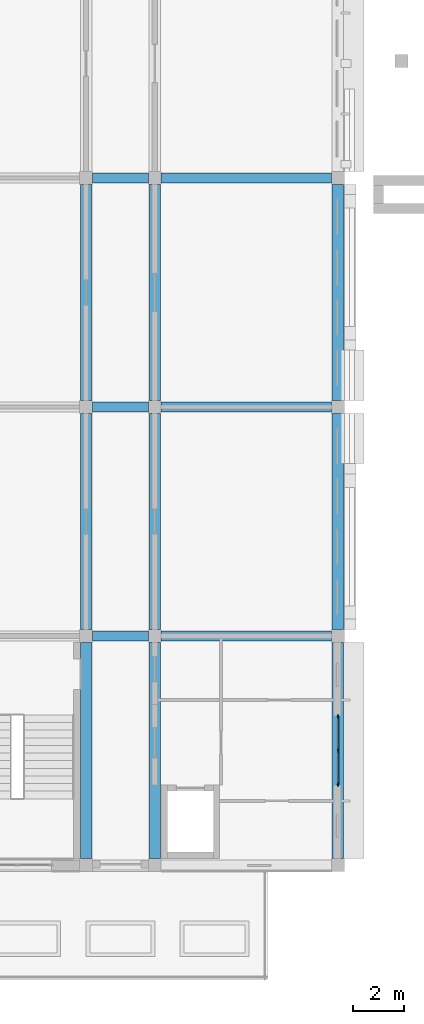
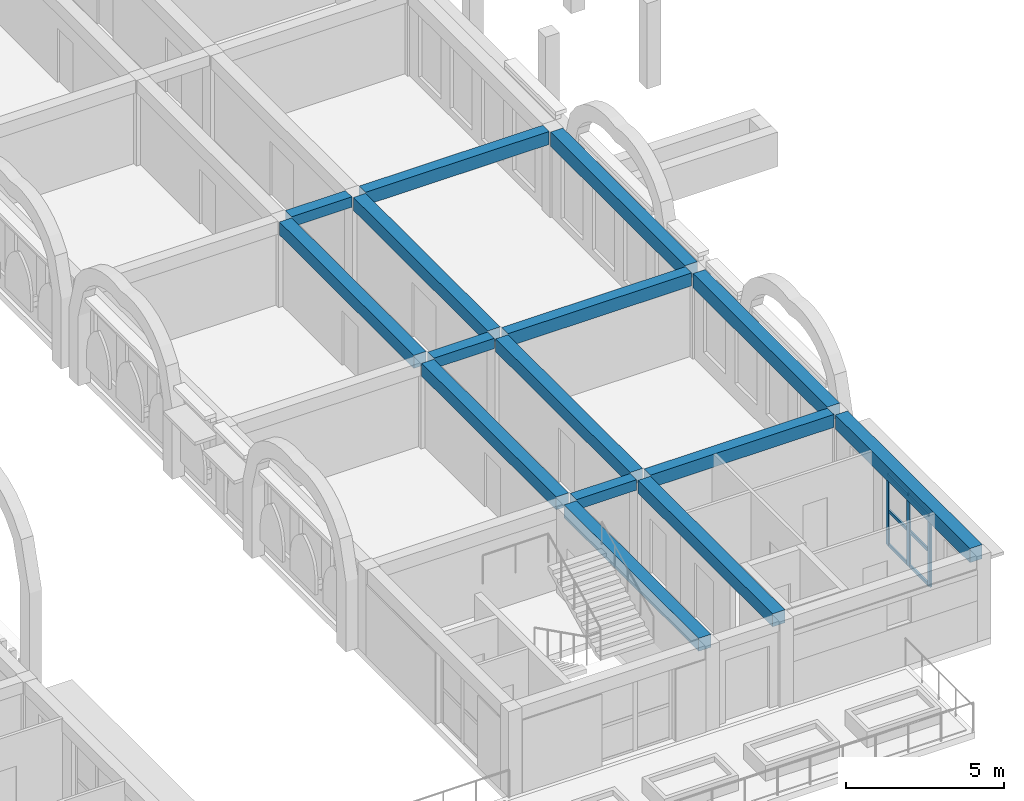
# One storey, part 30 of 82: 15 beams, 9 members, 1 element without a shape of its own.
"""IFC4 building model written with IfcOpenShell, lengths in metres."""

import ifcopenshell
import ifcopenshell.guid

model = None  # the IFC model being written
_history = None  # IfcOwnerHistory: only IFC2X3 demands one
_inside = {}  # id of a spatial element -> (the spatial element, [elements in it])
_under = {}  # id of a project, library or spatial element -> (it, [spatial elements below it])
_declared = {}  # id of a project -> (the project, [libraries it declares])
_typed = {}  # id of a type object -> (the type object, [elements of that type])
_made_of = {}  # id of a material, layer set ... -> (it, [elements and type objects made of it])


def new_model(schema):
    """Start an empty IFC model of exactly this schema.

    Asked for "IFC4X3", IfcOpenShell would pick the latest addendum, in which some entities
    have other attributes; the version numbers below select the first issue.
    IFC2X3 requires an IfcOwnerHistory on every rooted entity: one is made here for all.
    """
    global model, _history
    if schema == "IFC4X3":
        model = ifcopenshell.file(schema_version=(4, 3, 0, 0))
    else:
        model = ifcopenshell.file(schema=schema)
    _inside.clear()
    _under.clear()
    _declared.clear()
    _typed.clear()
    _made_of.clear()
    _history = None
    if model.schema == "IFC2X3":
        org = make("IfcOrganization", Name="unknown")
        user = make(
            "IfcPersonAndOrganization",
            ThePerson=make("IfcPerson", FamilyName="unknown"),
            TheOrganization=org,
        )
        app = make(
            "IfcApplication",
            ApplicationDeveloper=org,
            Version="unknown",
            ApplicationFullName="unknown",
            ApplicationIdentifier="unknown",
        )
        _history = make(
            "IfcOwnerHistory",
            OwningUser=user,
            OwningApplication=app,
            ChangeAction="ADDED",
            CreationDate=0,
        )
    return model


def make(cls, **values):
    """One entity of the class cls with the attributes given. An attribute that is None is left unset."""
    return model.create_entity(
        cls, **{name: value for name, value in values.items() if value is not None}
    )


def rooted(cls, **values):
    """An entity with a GlobalId (a new one), such as an element, a storey or a relation."""
    return make(cls, GlobalId=ifcopenshell.guid.new(), OwnerHistory=_history, **values)


def si_unit(unit_type, name, prefix=None):
    """IfcSIUnit, for example si_unit("LENGTHUNIT", "METRE", prefix="MILLI")."""
    return make("IfcSIUnit", UnitType=unit_type, Prefix=prefix, Name=name)


def assignment(units):
    """IfcUnitAssignment: the units of a project."""
    return None if units is None else make("IfcUnitAssignment", Units=units)


def point(xyz):
    """IfcCartesianPoint."""
    return None if xyz is None else make("IfcCartesianPoint", Coordinates=xyz)


def direction(xyz):
    """IfcDirection."""
    return None if xyz is None else make("IfcDirection", DirectionRatios=xyz)


def frame(location, z_axis=None, x_axis=None):
    """IfcAxis2Placement3D, a coordinate frame: its origin and axes. An axis left out is left unset."""
    return make(
        "IfcAxis2Placement3D",
        Location=point(location),
        Axis=direction(z_axis),
        RefDirection=direction(x_axis),
    )


def frame_2d(location, x_axis=None):
    """IfcAxis2Placement2D, a coordinate frame in the plane: its origin and x axis."""
    return make(
        "IfcAxis2Placement2D", Location=point(location), RefDirection=direction(x_axis)
    )


def origin():
    """The frame at (0, 0, 0) with its axes left unset."""
    return frame((0.0, 0.0, 0.0))


def origin_2d():
    """The frame at (0, 0) in the plane with its x axis left unset."""
    return frame_2d((0.0, 0.0))


def place(relative_to, where):
    """IfcLocalPlacement: puts the frame where relative to a parent placement (None: the world)."""
    return make(
        "IfcLocalPlacement", PlacementRelTo=relative_to, RelativePlacement=where
    )


def context(
    kind, dimensions, precision=None, world=None, true_north=None, identifier=None
):
    """IfcGeometricRepresentationContext, for example the 3D "Model" context."""
    return make(
        "IfcGeometricRepresentationContext",
        ContextIdentifier=identifier,
        ContextType=kind,
        CoordinateSpaceDimension=dimensions,
        Precision=precision,
        WorldCoordinateSystem=world,
        TrueNorth=true_north,
    )


def subcontext(parent, identifier, kind, view, scale=None):
    """IfcGeometricRepresentationSubContext, for example "Body" below "Model"."""
    return make(
        "IfcGeometricRepresentationSubContext",
        ContextIdentifier=identifier,
        ContextType=kind,
        ParentContext=parent,
        TargetScale=scale,
        TargetView=view,
    )


def project(units=None, contexts=None):
    """IfcProject with its units and contexts."""
    return rooted(
        "IfcProject",
        Name="project",
        RepresentationContexts=contexts,
        UnitsInContext=assignment(units),
    )


def spatial(cls, under=None, at=None, **own):
    """A site, building, storey or space (cls), placed at a placement, below another one or the project."""
    s = rooted(cls, ObjectPlacement=at, **own)
    if under is not None:
        _under.setdefault(under.id(), (under, []))[1].append(s)
    return s


def profile(cls, at=None, kind="AREA", **sizes):
    """A parametric profile (cls). Its sizes go by their IFC names, for example OverallWidth=200.0."""
    return make(cls, ProfileType=kind, Position=at, **sizes)


def rectangle(**sizes):
    """IfcRectangleProfileDef."""
    return profile("IfcRectangleProfileDef", **sizes)


def extrude(swept, where, along, depth):
    """IfcExtrudedAreaSolid: the profile swept, set in the frame where, extruded along a direction by depth."""
    return make(
        "IfcExtrudedAreaSolid",
        SweptArea=swept,
        Position=where,
        ExtrudedDirection=direction(along),
        Depth=depth,
    )


def shape(context_of_items, identifier, shape_type, items):
    """IfcShapeRepresentation: the items that make up one representation, for example the "Body"."""
    return make(
        "IfcShapeRepresentation",
        ContextOfItems=context_of_items,
        RepresentationIdentifier=identifier,
        RepresentationType=shape_type,
        Items=items,
    )


def material(Name=None, Category=None):
    """IfcMaterial."""
    return make("IfcMaterial", Name=Name, Category=Category)


def layer(
    of_material, thickness, ventilated=None, Name=None, Category=None, Priority=None
):
    """IfcMaterialLayer: one layer of a wall or slab, of a material (None: an air gap)."""
    return make(
        "IfcMaterialLayer",
        Material=of_material,
        LayerThickness=thickness,
        IsVentilated=ventilated,
        Name=Name,
        Category=Category,
        Priority=Priority,
    )


def layer_set(layers, Name=None):
    """IfcMaterialLayerSet."""
    return make("IfcMaterialLayerSet", MaterialLayers=layers, LayerSetName=Name)


def material_profile(
    of_material, cross_section, Name=None, Category=None, Priority=None
):
    """IfcMaterialProfile: a cross section and its material."""
    return make(
        "IfcMaterialProfile",
        Name=Name,
        Material=of_material,
        Profile=cross_section,
        Priority=Priority,
        Category=Category,
    )


def profile_set(profiles, Name=None, composite=None):
    """IfcMaterialProfileSet."""
    return make(
        "IfcMaterialProfileSet",
        Name=Name,
        MaterialProfiles=profiles,
        CompositeProfile=composite,
    )


def made_of(thing, what):
    """Note that an element or type object is made of a material, layer set ...; save() writes the relation."""
    if what is not None:
        _made_of.setdefault(what.id(), (what, []))[1].append(thing)
    return thing


def type_object(cls, material=None, **own):
    """A type object (cls), such as IfcWallType, which elements share."""
    return made_of(rooted(cls, **own), material)


def element(
    cls,
    number,
    at=None,
    inside=None,
    cuts=None,
    type_object=None,
    material=None,
    context=None,
    identifier="Body",
    shape_type=None,
    held_by="IfcProductDefinitionShape",
    body=None,
    shapes=None,
    **own,
):
    """One element of the class cls, such as IfcWall. Its Tag is "e" and its number.

    at: its placement. inside: the storey or other place that contains it. cuts: it is an
    opening in that element (IfcRelVoidsElement). A single representation is given by context,
    identifier, shape_type and body (its items); several are given by shapes. held_by: the class
    of the entity that holds the representations. save() writes the other relations.
    """
    e = rooted(cls, Tag="e%d" % number, ObjectPlacement=at, **own)
    if body is not None:
        shapes = [shape(context, identifier, shape_type, body)]
    if shapes is not None:
        e.Representation = make(held_by, Representations=shapes)
    if inside is not None:
        _inside.setdefault(inside.id(), (inside, []))[1].append(e)
    if cuts is not None:
        rooted(
            "IfcRelVoidsElement", RelatingBuildingElement=cuts, RelatedOpeningElement=e
        )
    if type_object is not None:
        _typed.setdefault(type_object.id(), (type_object, []))[1].append(e)
    return made_of(e, material)


def aggregate(whole, parts):
    """IfcRelAggregates: a whole, such as a stair, and the parts it consists of."""
    return rooted("IfcRelAggregates", RelatingObject=whole, RelatedObjects=parts)


def save(model, path):
    """Write the relations noted so far, then the file.

    IfcRelAggregates (storeys below a building ...), IfcRelContainedInSpatialStructure (elements
    in a storey), IfcRelDefinesByType, IfcRelAssociatesMaterial and IfcRelDeclares: one each for
    every whole, place, type object, material and project.
    """
    for whole, parts in _under.values():
        aggregate(whole, parts)
    for where, things in _inside.values():
        rooted(
            "IfcRelContainedInSpatialStructure",
            RelatedElements=things,
            RelatingStructure=where,
        )
    for kind, things in _typed.values():
        rooted("IfcRelDefinesByType", RelatedObjects=things, RelatingType=kind)
    for what, things in _made_of.values():
        rooted("IfcRelAssociatesMaterial", RelatedObjects=things, RelatingMaterial=what)
    for by, libraries in _declared.values():
        rooted("IfcRelDeclares", RelatingContext=by, RelatedDefinitions=libraries)
    model.write(path)


model = new_model("IFC4")

# Units and contexts
model_context = context("Model", 3, precision=1e-05, world=origin(), true_north=direction((0.0, 1.0)))
body_context = subcontext(model_context, "Body", "Model", "MODEL_VIEW")
ifc_project = project(units=[si_unit("LENGTHUNIT", "METRE"), si_unit("AREAUNIT", "SQUARE_METRE"), si_unit("VOLUMEUNIT", "CUBIC_METRE"), si_unit("PLANEANGLEUNIT", "RADIAN"), si_unit("MASSUNIT", "GRAM", prefix="KILO")], contexts=[model_context])

# Site, building, storey
site_placement = place(None, origin())
site = spatial("IfcSite", under=ifc_project, at=site_placement, CompositionType="ELEMENT")
building_placement = place(site_placement, origin())
building = spatial("IfcBuilding", under=site, at=building_placement, Name="Elbe Cascade School", CompositionType="ELEMENT")
storey_placement = place(building_placement, frame((0.0, 0.0, 4.5)))
storey = spatial("IfcBuildingStorey", under=building, at=storey_placement, Name="L01", CompositionType="ELEMENT", Elevation=4.5)

# Curtain wall, members
ifc_material_1 = material(Name="Aluminium frame with double glazing, bronze anodised", Category="aluminium")
ifc_layer = layer(ifc_material_1, 0.159912109375)
ifc_layer_set = layer_set([ifc_layer], Name="Aluminium frame with double glazing, bronze anodised")
curtain_wall_type = type_object("IfcCurtainWallType", Name="Bars envelope Curtain wall, aluminium, bronze anodised, storey-high slot", PredefinedType="NOTDEFINED", material=ifc_layer_set)
curtain_wall_placement = place(storey_placement, origin())
curtain_wall = element("IfcCurtainWall", 1, at=curtain_wall_placement, inside=storey, type_object=curtain_wall_type, Name="Curtain wall CW4 D.L01.e1", PredefinedType="NOTDEFINED")
ifc_material_2 = material(Name="Aluminium mullion, bronze anodised", Category="aluminium")
ifc_material_profile_1 = material_profile(ifc_material_2, rectangle(XDim=0.06005859375, YDim=0.159912109375, at=origin_2d()), Name="Bars envelope Curtain wall mullion 60 x 160, aluminium, storey-high slot")
ifc_profile_set_1 = profile_set([ifc_material_profile_1], Name="Aluminium mullion, bronze anodised")
member_type_1 = type_object("IfcMemberType", Name="Bars envelope Curtain wall mullion 60 x 160, aluminium, storey-high slot", PredefinedType="MULLION", material=ifc_profile_set_1)
member_1_placement = place(storey_placement, frame((174.89990234375, 11.820068359375, 0.0), z_axis=(0.0, 0.0, 1.0), x_axis=(1.0, 0.0, 0.0)))
member_1 = element("IfcMember", 2, at=member_1_placement, type_object=member_type_1, Name="CW4 mullion 1", PredefinedType="MULLION", context=body_context, shape_type="SweptSolid", body=[
    extrude(rectangle(XDim=0.06005859375, YDim=0.159912109375, at=origin_2d()), origin(), (0.0, 0.0, 1.0), 2.75),
])
member_2_placement = place(storey_placement, frame((174.89990234375, 10.5, 0.0), z_axis=(0.0, 0.0, 1.0), x_axis=(1.0, 0.0, 0.0)))
member_2 = element("IfcMember", 3, at=member_2_placement, type_object=member_type_1, Name="CW4 mullion 2", PredefinedType="MULLION", context=body_context, shape_type="SweptSolid", body=[
    extrude(rectangle(XDim=0.06005859375, YDim=0.159912109375, at=origin_2d()), origin(), (0.0, 0.0, 1.0), 2.75),
])
member_3_placement = place(storey_placement, frame((174.89990234375, 9.179931640625, 0.0), z_axis=(0.0, 0.0, 1.0), x_axis=(1.0, 0.0, 0.0)))
member_3 = element("IfcMember", 4, at=member_3_placement, type_object=member_type_1, Name="CW4 mullion 3", PredefinedType="MULLION", context=body_context, shape_type="SweptSolid", body=[
    extrude(rectangle(XDim=0.06005859375, YDim=0.159912109375, at=origin_2d()), origin(), (0.0, 0.0, 1.0), 2.75),
])
ifc_material_3 = material(Name="Aluminium transom, bronze anodised", Category="aluminium")
ifc_material_profile_2 = material_profile(ifc_material_3, rectangle(XDim=0.06005859375, YDim=0.1201171875, at=origin_2d()), Name="Bars envelope Curtain wall transom 60 x 120, aluminium, storey-high slot")
ifc_profile_set_2 = profile_set([ifc_material_profile_2], Name="Aluminium transom, bronze anodised")
member_type_2 = type_object("IfcMemberType", Name="Bars envelope Curtain wall transom 60 x 120, aluminium, storey-high slot", PredefinedType="USERDEFINED", material=ifc_profile_set_2)
member_4_placement = place(storey_placement, frame((174.89990234375, 11.7900390625, 0.030029296875), z_axis=(0.0, -1.0, 0.0), x_axis=(1.0, 0.0, 0.0)))
member_4 = element("IfcMember", 5, at=member_4_placement, type_object=member_type_2, Name="CW4 transom 1.1", ObjectType="TRANSOM", PredefinedType="USERDEFINED", context=body_context, shape_type="SweptSolid", body=[
    extrude(rectangle(XDim=0.06005859375, YDim=0.1201171875, at=origin_2d()), origin(), (0.0, 0.0, 1.0), 1.260009765625),
])
member_5_placement = place(storey_placement, frame((174.89990234375, 11.7900390625, 1.35009765625), z_axis=(0.0, -1.0, 0.0), x_axis=(1.0, 0.0, 0.0)))
member_5 = element("IfcMember", 6, at=member_5_placement, type_object=member_type_2, Name="CW4 transom 1.2", ObjectType="TRANSOM", PredefinedType="USERDEFINED", context=body_context, shape_type="SweptSolid", body=[
    extrude(rectangle(XDim=0.06005859375, YDim=0.1201171875, at=origin_2d()), origin(), (0.0, 0.0, 1.0), 1.260009765625),
])
member_6_placement = place(storey_placement, frame((174.89990234375, 11.7900390625, 2.719970703125), z_axis=(0.0, -1.0, 0.0), x_axis=(1.0, 0.0, 0.0)))
member_6 = element("IfcMember", 7, at=member_6_placement, type_object=member_type_2, Name="CW4 transom 1.3", ObjectType="TRANSOM", PredefinedType="USERDEFINED", context=body_context, shape_type="SweptSolid", body=[
    extrude(rectangle(XDim=0.06005859375, YDim=0.1201171875, at=origin_2d()), origin(), (0.0, 0.0, 1.0), 1.260009765625),
])
member_7_placement = place(storey_placement, frame((174.89990234375, 10.469970703125, 0.030029296875), z_axis=(0.0, -1.0, 0.0), x_axis=(1.0, 0.0, 0.0)))
member_7 = element("IfcMember", 8, at=member_7_placement, type_object=member_type_2, Name="CW4 transom 2.1", ObjectType="TRANSOM", PredefinedType="USERDEFINED", context=body_context, shape_type="SweptSolid", body=[
    extrude(rectangle(XDim=0.06005859375, YDim=0.1201171875, at=origin_2d()), origin(), (0.0, 0.0, 1.0), 1.260009765625),
])
member_8_placement = place(storey_placement, frame((174.89990234375, 10.469970703125, 1.35009765625), z_axis=(0.0, -1.0, 0.0), x_axis=(1.0, 0.0, 0.0)))
member_8 = element("IfcMember", 9, at=member_8_placement, type_object=member_type_2, Name="CW4 transom 2.2", ObjectType="TRANSOM", PredefinedType="USERDEFINED", context=body_context, shape_type="SweptSolid", body=[
    extrude(rectangle(XDim=0.06005859375, YDim=0.1201171875, at=origin_2d()), origin(), (0.0, 0.0, 1.0), 1.260009765625),
])
member_9_placement = place(storey_placement, frame((174.89990234375, 10.469970703125, 2.719970703125), z_axis=(0.0, -1.0, 0.0), x_axis=(1.0, 0.0, 0.0)))
member_9 = element("IfcMember", 10, at=member_9_placement, type_object=member_type_2, Name="CW4 transom 2.3", ObjectType="TRANSOM", PredefinedType="USERDEFINED", context=body_context, shape_type="SweptSolid", body=[
    extrude(rectangle(XDim=0.06005859375, YDim=0.1201171875, at=origin_2d()), origin(), (0.0, 0.0, 1.0), 1.260009765625),
])
aggregate(curtain_wall, [member_1, member_2, member_3, member_4, member_5, member_6, member_7, member_8, member_9])

# Beams
ifc_material_4 = material(Name="Concrete C30/37", Category="concrete")
ifc_material_profile_3 = material_profile(ifc_material_4, rectangle(XDim=0.39990234375, YDim=0.39990234375, at=origin_2d()), Name="RC 400x400")
ifc_profile_set_3 = profile_set([ifc_material_profile_3], Name="Concrete C30/37")
beam_type_1 = type_object("IfcBeamType", Name="RC 400x400 beam", PredefinedType="BEAM", material=ifc_profile_set_3)
for number, where, z_axis, x_axis, name in (
    (11, (165.25, 15.0, 3.10009765625), (1.0, 0.0, 0.0), (0.0, 1.0, 0.0), "RC 400x400 beam B5"),
    (12, (165.25, 24.0, 3.10009765625), (1.0, 0.0, 0.0), (0.0, 1.0, 0.0), "RC 400x400 beam B5"),
    (13, (165.25, 33.0, 3.10009765625), (1.0, 0.0, 0.0), (0.0, 1.0, 0.0), "RC 400x400 beam B5"),
):
    element("IfcBeam", number, at=place(storey_placement, frame(where, z_axis=z_axis, x_axis=x_axis)), inside=storey, type_object=beam_type_1, Name=name, PredefinedType="BEAM", context=body_context, shape_type="SweptSolid", body=[
        extrude(rectangle(XDim=0.39990234375, YDim=0.39990234375, at=origin_2d()), origin(), (0.0, 0.0, 1.0), 2.199951171875),
    ])
ifc_material_5 = material(Name="Concrete C30/37", Category="concrete")
ifc_material_profile_4 = material_profile(ifc_material_5, rectangle(XDim=0.39990234375, YDim=0.5, at=origin_2d()), Name="RC 400x500")
ifc_profile_set_4 = profile_set([ifc_material_profile_4], Name="Concrete C30/37")
beam_type_2 = type_object("IfcBeamType", Name="RC 400x500 beam", PredefinedType="BEAM", material=ifc_profile_set_4)
for number, where, z_axis, x_axis, name in (
    (14, (167.949951171875, 15.0, 3.050048828125), (1.0, 0.0, 0.0), (0.0, 1.0, 0.0), "RC 400x500 beam B1"),
    (15, (167.949951171875, 24.0, 3.050048828125), (1.0, 0.0, 0.0), (0.0, 1.0, 0.0), "RC 400x500 beam B1"),
    (16, (167.949951171875, 33.0, 3.050048828125), (1.0, 0.0, 0.0), (0.0, 1.0, 0.0), "RC 400x500 beam B1"),
):
    element("IfcBeam", number, at=place(storey_placement, frame(where, z_axis=z_axis, x_axis=x_axis)), inside=storey, type_object=beam_type_2, Name=name, PredefinedType="BEAM", context=body_context, shape_type="SweptSolid", body=[
        extrude(rectangle(XDim=0.39990234375, YDim=0.5, at=origin_2d()), origin(), (0.0, 0.0, 1.0), 6.699951171875),
    ])
ifc_material_6 = material(Name="Concrete C30/37", Category="concrete")
ifc_material_profile_5 = material_profile(ifc_material_6, rectangle(XDim=0.449951171875, YDim=0.5, at=origin_2d()), Name="RC 450x500")
ifc_profile_set_5 = profile_set([ifc_material_profile_5], Name="Concrete C30/37")
beam_type_3 = type_object("IfcBeamType", Name="RC 450x500 beam", PredefinedType="BEAM", material=ifc_profile_set_5)
for number, where, z_axis, x_axis, name in (
    (17, (165.0, 6.25, 3.050048828125), (0.0, 1.0, 0.0), (-1.0, 0.0, 0.0), "RC 450x500 beam B9"),
    (18, (165.0, 15.25, 3.050048828125), (0.0, 1.0, 0.0), (-1.0, 0.0, 0.0), "RC 450x500 beam B9"),
    (19, (165.0, 24.25, 3.050048828125), (0.0, 1.0, 0.0), (-1.0, 0.0, 0.0), "RC 450x500 beam B9"),
    (20, (167.699951171875, 6.25, 3.050048828125), (0.0, 1.0, 0.0), (-1.0, 0.0, 0.0), "RC 450x500 beam B9"),
    (21, (167.699951171875, 15.25, 3.050048828125), (0.0, 1.0, 0.0), (-1.0, 0.0, 0.0), "RC 450x500 beam B9"),
    (22, (167.699951171875, 24.25, 3.050048828125), (0.0, 1.0, 0.0), (-1.0, 0.0, 0.0), "RC 450x500 beam B9"),
):
    element("IfcBeam", number, at=place(storey_placement, frame(where, z_axis=z_axis, x_axis=x_axis)), inside=storey, type_object=beam_type_3, Name=name, PredefinedType="BEAM", context=body_context, shape_type="SweptSolid", body=[
        extrude(rectangle(XDim=0.449951171875, YDim=0.5, at=origin_2d()), origin(), (0.0, 0.0, 1.0), 8.5),
    ])
ifc_material_7 = material(Name="Concrete C30/37", Category="concrete")
ifc_material_profile_6 = material_profile(ifc_material_7, rectangle(XDim=0.449951171875, YDim=0.550048828125, at=origin_2d()), Name="RC 450x550")
ifc_profile_set_6 = profile_set([ifc_material_profile_6], Name="Concrete C30/37")
beam_type_4 = type_object("IfcBeamType", Name="RC 450x550 beam", PredefinedType="BEAM", material=ifc_profile_set_6)
for number, where, z_axis, x_axis, name in (
    (23, (174.89990234375, 6.25, 3.02490234375), (0.0, 1.0, 0.0), (-1.0, 0.0, 0.0), "RC 450x550 beam B12"),
    (24, (174.89990234375, 15.25, 3.02490234375), (0.0, 1.0, 0.0), (-1.0, 0.0, 0.0), "RC 450x550 beam B12"),
    (25, (174.89990234375, 24.25, 3.02490234375), (0.0, 1.0, 0.0), (-1.0, 0.0, 0.0), "RC 450x550 beam B12"),
):
    element("IfcBeam", number, at=place(storey_placement, frame(where, z_axis=z_axis, x_axis=x_axis)), inside=storey, type_object=beam_type_4, Name=name, PredefinedType="BEAM", context=body_context, shape_type="SweptSolid", body=[
        extrude(rectangle(XDim=0.449951171875, YDim=0.550048828125, at=origin_2d()), origin(), (0.0, 0.0, 1.0), 8.5),
    ])

save(model, "model.ifc")
